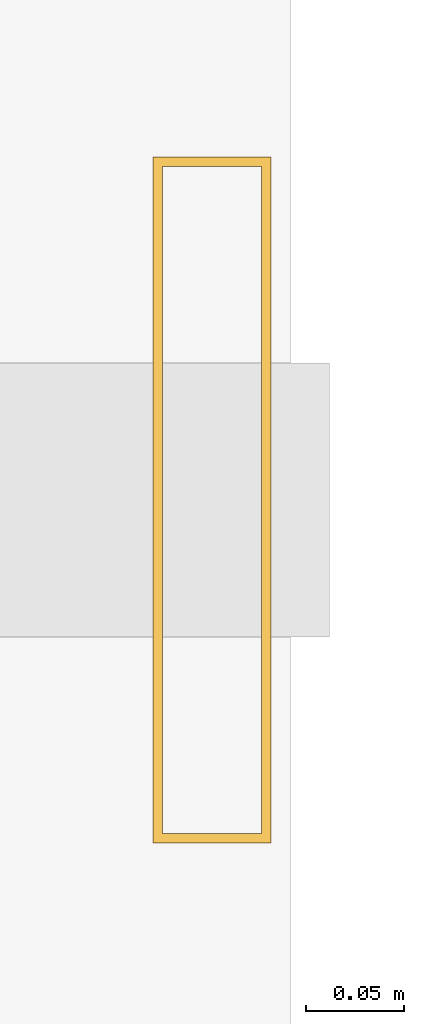
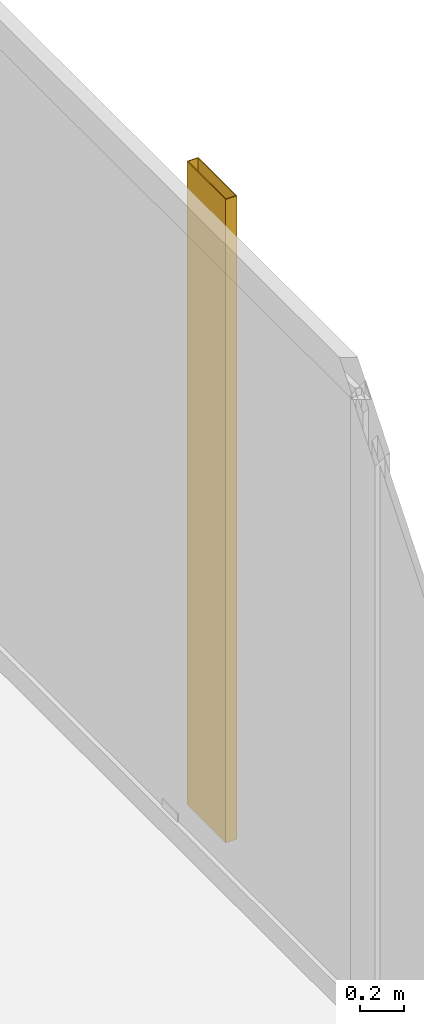
# One storey, part 26 of 26: 1 shading device.
"""IFC4 building model written with IfcOpenShell, lengths in metres."""

import ifcopenshell
import ifcopenshell.guid

model = None  # the IFC model being written
_history = None  # IfcOwnerHistory: only IFC2X3 demands one
_inside = {}  # id of a spatial element -> (the spatial element, [elements in it])
_under = {}  # id of a project, library or spatial element -> (it, [spatial elements below it])
_declared = {}  # id of a project -> (the project, [libraries it declares])
_typed = {}  # id of a type object -> (the type object, [elements of that type])
_made_of = {}  # id of a material, layer set ... -> (it, [elements and type objects made of it])


def new_model(schema):
    """Start an empty IFC model of exactly this schema.

    Asked for "IFC4X3", IfcOpenShell would pick the latest addendum, in which some entities
    have other attributes; the version numbers below select the first issue.
    IFC2X3 requires an IfcOwnerHistory on every rooted entity: one is made here for all.
    """
    global model, _history
    if schema == "IFC4X3":
        model = ifcopenshell.file(schema_version=(4, 3, 0, 0))
    else:
        model = ifcopenshell.file(schema=schema)
    _inside.clear()
    _under.clear()
    _declared.clear()
    _typed.clear()
    _made_of.clear()
    _history = None
    if model.schema == "IFC2X3":
        org = make("IfcOrganization", Name="unknown")
        user = make(
            "IfcPersonAndOrganization",
            ThePerson=make("IfcPerson", FamilyName="unknown"),
            TheOrganization=org,
        )
        app = make(
            "IfcApplication",
            ApplicationDeveloper=org,
            Version="unknown",
            ApplicationFullName="unknown",
            ApplicationIdentifier="unknown",
        )
        _history = make(
            "IfcOwnerHistory",
            OwningUser=user,
            OwningApplication=app,
            ChangeAction="ADDED",
            CreationDate=0,
        )
    return model


def make(cls, **values):
    """One entity of the class cls with the attributes given. An attribute that is None is left unset."""
    return model.create_entity(
        cls, **{name: value for name, value in values.items() if value is not None}
    )


def rooted(cls, **values):
    """An entity with a GlobalId (a new one), such as an element, a storey or a relation."""
    return make(cls, GlobalId=ifcopenshell.guid.new(), OwnerHistory=_history, **values)


def si_unit(unit_type, name, prefix=None):
    """IfcSIUnit, for example si_unit("LENGTHUNIT", "METRE", prefix="MILLI")."""
    return make("IfcSIUnit", UnitType=unit_type, Prefix=prefix, Name=name)


def assignment(units):
    """IfcUnitAssignment: the units of a project."""
    return None if units is None else make("IfcUnitAssignment", Units=units)


def point(xyz):
    """IfcCartesianPoint."""
    return None if xyz is None else make("IfcCartesianPoint", Coordinates=xyz)


def direction(xyz):
    """IfcDirection."""
    return None if xyz is None else make("IfcDirection", DirectionRatios=xyz)


def frame(location, z_axis=None, x_axis=None):
    """IfcAxis2Placement3D, a coordinate frame: its origin and axes. An axis left out is left unset."""
    return make(
        "IfcAxis2Placement3D",
        Location=point(location),
        Axis=direction(z_axis),
        RefDirection=direction(x_axis),
    )


def frame_2d(location, x_axis=None):
    """IfcAxis2Placement2D, a coordinate frame in the plane: its origin and x axis."""
    return make(
        "IfcAxis2Placement2D", Location=point(location), RefDirection=direction(x_axis)
    )


def origin():
    """The frame at (0, 0, 0) with its axes left unset."""
    return frame((0.0, 0.0, 0.0))


def origin_2d():
    """The frame at (0, 0) in the plane with its x axis left unset."""
    return frame_2d((0.0, 0.0))


def place(relative_to, where):
    """IfcLocalPlacement: puts the frame where relative to a parent placement (None: the world)."""
    return make(
        "IfcLocalPlacement", PlacementRelTo=relative_to, RelativePlacement=where
    )


def context(
    kind, dimensions, precision=None, world=None, true_north=None, identifier=None
):
    """IfcGeometricRepresentationContext, for example the 3D "Model" context."""
    return make(
        "IfcGeometricRepresentationContext",
        ContextIdentifier=identifier,
        ContextType=kind,
        CoordinateSpaceDimension=dimensions,
        Precision=precision,
        WorldCoordinateSystem=world,
        TrueNorth=true_north,
    )


def subcontext(parent, identifier, kind, view, scale=None):
    """IfcGeometricRepresentationSubContext, for example "Body" below "Model"."""
    return make(
        "IfcGeometricRepresentationSubContext",
        ContextIdentifier=identifier,
        ContextType=kind,
        ParentContext=parent,
        TargetScale=scale,
        TargetView=view,
    )


def project(units=None, contexts=None):
    """IfcProject with its units and contexts."""
    return rooted(
        "IfcProject",
        Name="project",
        RepresentationContexts=contexts,
        UnitsInContext=assignment(units),
    )


def spatial(cls, under=None, at=None, **own):
    """A site, building, storey or space (cls), placed at a placement, below another one or the project."""
    s = rooted(cls, ObjectPlacement=at, **own)
    if under is not None:
        _under.setdefault(under.id(), (under, []))[1].append(s)
    return s


def profile(cls, at=None, kind="AREA", **sizes):
    """A parametric profile (cls). Its sizes go by their IFC names, for example OverallWidth=200.0."""
    return make(cls, ProfileType=kind, Position=at, **sizes)


def hollow_rectangle(**sizes):
    """IfcRectangleHollowProfileDef."""
    return profile("IfcRectangleHollowProfileDef", **sizes)


def extrude(swept, where, along, depth):
    """IfcExtrudedAreaSolid: the profile swept, set in the frame where, extruded along a direction by depth."""
    return make(
        "IfcExtrudedAreaSolid",
        SweptArea=swept,
        Position=where,
        ExtrudedDirection=direction(along),
        Depth=depth,
    )


def shape(context_of_items, identifier, shape_type, items):
    """IfcShapeRepresentation: the items that make up one representation, for example the "Body"."""
    return make(
        "IfcShapeRepresentation",
        ContextOfItems=context_of_items,
        RepresentationIdentifier=identifier,
        RepresentationType=shape_type,
        Items=items,
    )


def material(Name=None, Category=None):
    """IfcMaterial."""
    return make("IfcMaterial", Name=Name, Category=Category)


def material_profile(
    of_material, cross_section, Name=None, Category=None, Priority=None
):
    """IfcMaterialProfile: a cross section and its material."""
    return make(
        "IfcMaterialProfile",
        Name=Name,
        Material=of_material,
        Profile=cross_section,
        Priority=Priority,
        Category=Category,
    )


def profile_set(profiles, Name=None, composite=None):
    """IfcMaterialProfileSet."""
    return make(
        "IfcMaterialProfileSet",
        Name=Name,
        MaterialProfiles=profiles,
        CompositeProfile=composite,
    )


def made_of(thing, what):
    """Note that an element or type object is made of a material, layer set ...; save() writes the relation."""
    if what is not None:
        _made_of.setdefault(what.id(), (what, []))[1].append(thing)
    return thing


def type_object(cls, material=None, **own):
    """A type object (cls), such as IfcWallType, which elements share."""
    return made_of(rooted(cls, **own), material)


def element(
    cls,
    number,
    at=None,
    inside=None,
    cuts=None,
    type_object=None,
    material=None,
    context=None,
    identifier="Body",
    shape_type=None,
    held_by="IfcProductDefinitionShape",
    body=None,
    shapes=None,
    **own,
):
    """One element of the class cls, such as IfcWall. Its Tag is "e" and its number.

    at: its placement. inside: the storey or other place that contains it. cuts: it is an
    opening in that element (IfcRelVoidsElement). A single representation is given by context,
    identifier, shape_type and body (its items); several are given by shapes. held_by: the class
    of the entity that holds the representations. save() writes the other relations.
    """
    e = rooted(cls, Tag="e%d" % number, ObjectPlacement=at, **own)
    if body is not None:
        shapes = [shape(context, identifier, shape_type, body)]
    if shapes is not None:
        e.Representation = make(held_by, Representations=shapes)
    if inside is not None:
        _inside.setdefault(inside.id(), (inside, []))[1].append(e)
    if cuts is not None:
        rooted(
            "IfcRelVoidsElement", RelatingBuildingElement=cuts, RelatedOpeningElement=e
        )
    if type_object is not None:
        _typed.setdefault(type_object.id(), (type_object, []))[1].append(e)
    return made_of(e, material)


def aggregate(whole, parts):
    """IfcRelAggregates: a whole, such as a stair, and the parts it consists of."""
    return rooted("IfcRelAggregates", RelatingObject=whole, RelatedObjects=parts)


def save(model, path):
    """Write the relations noted so far, then the file.

    IfcRelAggregates (storeys below a building ...), IfcRelContainedInSpatialStructure (elements
    in a storey), IfcRelDefinesByType, IfcRelAssociatesMaterial and IfcRelDeclares: one each for
    every whole, place, type object, material and project.
    """
    for whole, parts in _under.values():
        aggregate(whole, parts)
    for where, things in _inside.values():
        rooted(
            "IfcRelContainedInSpatialStructure",
            RelatedElements=things,
            RelatingStructure=where,
        )
    for kind, things in _typed.values():
        rooted("IfcRelDefinesByType", RelatedObjects=things, RelatingType=kind)
    for what, things in _made_of.values():
        rooted("IfcRelAssociatesMaterial", RelatedObjects=things, RelatingMaterial=what)
    for by, libraries in _declared.values():
        rooted("IfcRelDeclares", RelatingContext=by, RelatedDefinitions=libraries)
    model.write(path)


model = new_model("IFC4")

# Units and contexts
model_context = context("Model", 3, precision=1e-05, world=origin(), true_north=direction((0.0, 1.0)))
body_context = subcontext(model_context, "Body", "Model", "MODEL_VIEW")
ifc_project = project(units=[si_unit("LENGTHUNIT", "METRE"), si_unit("AREAUNIT", "SQUARE_METRE"), si_unit("VOLUMEUNIT", "CUBIC_METRE"), si_unit("PLANEANGLEUNIT", "RADIAN"), si_unit("MASSUNIT", "GRAM", prefix="KILO")], contexts=[model_context])

# Site, building, storey
site_placement = place(None, origin())
site = spatial("IfcSite", under=ifc_project, at=site_placement, CompositionType="ELEMENT")
building_placement = place(site_placement, origin())
building = spatial("IfcBuilding", under=site, at=building_placement, Name="Kolvaren Waterfront Exchange", CompositionType="ELEMENT")
storey_placement = place(building_placement, frame((0.0, 0.0, 99.300048828125)))
storey = spatial("IfcBuildingStorey", under=building, at=storey_placement, Name="L25", CompositionType="ELEMENT", Elevation=99.300048828125)

# Shading device
ifc_material = material(Name="Anodised bronze aluminium 6063-T6", Category="aluminium")
ifc_material_profile = material_profile(ifc_material, hollow_rectangle(XDim=0.06005859375, YDim=0.35009765625, WallThickness=0.0048828125, at=origin_2d()), Name="BRZ-FIN-350x60x5")
ifc_profile_set = profile_set([ifc_material_profile], Name="Anodised bronze aluminium 6063-T6")
shading_device_type = type_object("IfcShadingDeviceType", Name="ARC-FIN-350", PredefinedType="USERDEFINED", material=ifc_profile_set)
shading_device_placement = place(storey_placement, frame((23.9599609375, 38.0, 0.0), z_axis=(0.0, 0.0, 1.0), x_axis=(1.0, 0.0, 0.0)))
element("IfcShadingDevice", 1, at=shading_device_placement, inside=storey, type_object=shading_device_type, Name="L25 anodised bronze solar shading fin FIN-L25-E3", ObjectType="SOLAR FIN", PredefinedType="USERDEFINED", context=body_context, shape_type="SweptSolid", body=[
    extrude(hollow_rectangle(XDim=0.06005859375, YDim=0.35009765625, WallThickness=0.0048828125, at=origin_2d()), origin(), (0.0, 0.0, 1.0), 3.5400390625),
])

save(model, "model.ifc")
